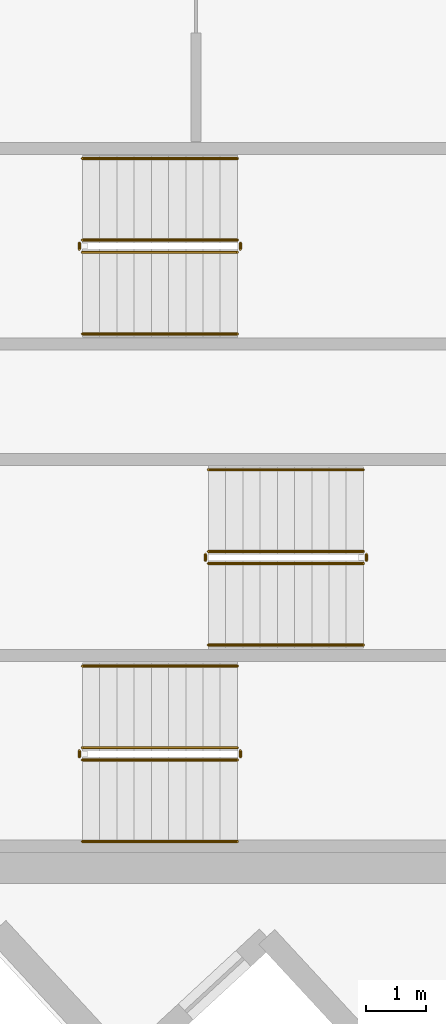
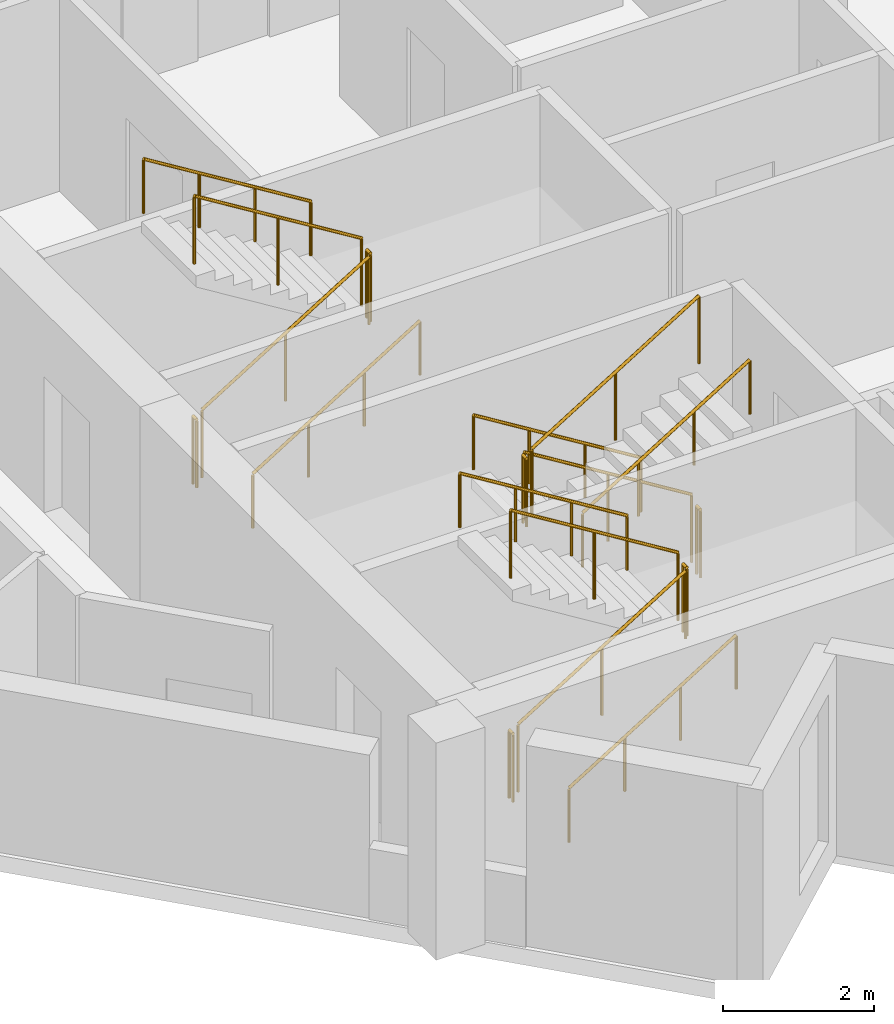
# One storey, part 10 of 11: 18 railings.
"""IFC4 building model written with IfcOpenShell, lengths in metres."""

import ifcopenshell
import ifcopenshell.guid

model = None  # the IFC model being written
_history = None  # IfcOwnerHistory: only IFC2X3 demands one
_inside = {}  # id of a spatial element -> (the spatial element, [elements in it])
_under = {}  # id of a project, library or spatial element -> (it, [spatial elements below it])
_declared = {}  # id of a project -> (the project, [libraries it declares])
_typed = {}  # id of a type object -> (the type object, [elements of that type])
_made_of = {}  # id of a material, layer set ... -> (it, [elements and type objects made of it])


def new_model(schema):
    """Start an empty IFC model of exactly this schema.

    Asked for "IFC4X3", IfcOpenShell would pick the latest addendum, in which some entities
    have other attributes; the version numbers below select the first issue.
    IFC2X3 requires an IfcOwnerHistory on every rooted entity: one is made here for all.
    """
    global model, _history
    if schema == "IFC4X3":
        model = ifcopenshell.file(schema_version=(4, 3, 0, 0))
    else:
        model = ifcopenshell.file(schema=schema)
    _inside.clear()
    _under.clear()
    _declared.clear()
    _typed.clear()
    _made_of.clear()
    _history = None
    if model.schema == "IFC2X3":
        org = make("IfcOrganization", Name="unknown")
        user = make(
            "IfcPersonAndOrganization",
            ThePerson=make("IfcPerson", FamilyName="unknown"),
            TheOrganization=org,
        )
        app = make(
            "IfcApplication",
            ApplicationDeveloper=org,
            Version="unknown",
            ApplicationFullName="unknown",
            ApplicationIdentifier="unknown",
        )
        _history = make(
            "IfcOwnerHistory",
            OwningUser=user,
            OwningApplication=app,
            ChangeAction="ADDED",
            CreationDate=0,
        )
    return model


def make(cls, **values):
    """One entity of the class cls with the attributes given. An attribute that is None is left unset."""
    return model.create_entity(
        cls, **{name: value for name, value in values.items() if value is not None}
    )


def rooted(cls, **values):
    """An entity with a GlobalId (a new one), such as an element, a storey or a relation."""
    return make(cls, GlobalId=ifcopenshell.guid.new(), OwnerHistory=_history, **values)


def si_unit(unit_type, name, prefix=None):
    """IfcSIUnit, for example si_unit("LENGTHUNIT", "METRE", prefix="MILLI")."""
    return make("IfcSIUnit", UnitType=unit_type, Prefix=prefix, Name=name)


def assignment(units):
    """IfcUnitAssignment: the units of a project."""
    return None if units is None else make("IfcUnitAssignment", Units=units)


def point(xyz):
    """IfcCartesianPoint."""
    return None if xyz is None else make("IfcCartesianPoint", Coordinates=xyz)


def direction(xyz):
    """IfcDirection."""
    return None if xyz is None else make("IfcDirection", DirectionRatios=xyz)


def frame(location, z_axis=None, x_axis=None):
    """IfcAxis2Placement3D, a coordinate frame: its origin and axes. An axis left out is left unset."""
    return make(
        "IfcAxis2Placement3D",
        Location=point(location),
        Axis=direction(z_axis),
        RefDirection=direction(x_axis),
    )


def frame_2d(location, x_axis=None):
    """IfcAxis2Placement2D, a coordinate frame in the plane: its origin and x axis."""
    return make(
        "IfcAxis2Placement2D", Location=point(location), RefDirection=direction(x_axis)
    )


def origin():
    """The frame at (0, 0, 0) with its axes left unset."""
    return frame((0.0, 0.0, 0.0))


def origin_2d():
    """The frame at (0, 0) in the plane with its x axis left unset."""
    return frame_2d((0.0, 0.0))


def place(relative_to, where):
    """IfcLocalPlacement: puts the frame where relative to a parent placement (None: the world)."""
    return make(
        "IfcLocalPlacement", PlacementRelTo=relative_to, RelativePlacement=where
    )


def context(
    kind, dimensions, precision=None, world=None, true_north=None, identifier=None
):
    """IfcGeometricRepresentationContext, for example the 3D "Model" context."""
    return make(
        "IfcGeometricRepresentationContext",
        ContextIdentifier=identifier,
        ContextType=kind,
        CoordinateSpaceDimension=dimensions,
        Precision=precision,
        WorldCoordinateSystem=world,
        TrueNorth=true_north,
    )


def subcontext(parent, identifier, kind, view, scale=None):
    """IfcGeometricRepresentationSubContext, for example "Body" below "Model"."""
    return make(
        "IfcGeometricRepresentationSubContext",
        ContextIdentifier=identifier,
        ContextType=kind,
        ParentContext=parent,
        TargetScale=scale,
        TargetView=view,
    )


def project(units=None, contexts=None):
    """IfcProject with its units and contexts."""
    return rooted(
        "IfcProject",
        Name="project",
        RepresentationContexts=contexts,
        UnitsInContext=assignment(units),
    )


def spatial(cls, under=None, at=None, **own):
    """A site, building, storey or space (cls), placed at a placement, below another one or the project."""
    s = rooted(cls, ObjectPlacement=at, **own)
    if under is not None:
        _under.setdefault(under.id(), (under, []))[1].append(s)
    return s


def profile(cls, at=None, kind="AREA", **sizes):
    """A parametric profile (cls). Its sizes go by their IFC names, for example OverallWidth=200.0."""
    return make(cls, ProfileType=kind, Position=at, **sizes)


def circle(**sizes):
    """IfcCircleProfileDef."""
    return profile("IfcCircleProfileDef", **sizes)


def extrude(swept, where, along, depth):
    """IfcExtrudedAreaSolid: the profile swept, set in the frame where, extruded along a direction by depth."""
    return make(
        "IfcExtrudedAreaSolid",
        SweptArea=swept,
        Position=where,
        ExtrudedDirection=direction(along),
        Depth=depth,
    )


def shape(context_of_items, identifier, shape_type, items):
    """IfcShapeRepresentation: the items that make up one representation, for example the "Body"."""
    return make(
        "IfcShapeRepresentation",
        ContextOfItems=context_of_items,
        RepresentationIdentifier=identifier,
        RepresentationType=shape_type,
        Items=items,
    )


def material(Name=None, Category=None):
    """IfcMaterial."""
    return make("IfcMaterial", Name=Name, Category=Category)


def made_of(thing, what):
    """Note that an element or type object is made of a material, layer set ...; save() writes the relation."""
    if what is not None:
        _made_of.setdefault(what.id(), (what, []))[1].append(thing)
    return thing


def type_object(cls, material=None, **own):
    """A type object (cls), such as IfcWallType, which elements share."""
    return made_of(rooted(cls, **own), material)


def element(
    cls,
    number,
    at=None,
    inside=None,
    cuts=None,
    type_object=None,
    material=None,
    context=None,
    identifier="Body",
    shape_type=None,
    held_by="IfcProductDefinitionShape",
    body=None,
    shapes=None,
    **own,
):
    """One element of the class cls, such as IfcWall. Its Tag is "e" and its number.

    at: its placement. inside: the storey or other place that contains it. cuts: it is an
    opening in that element (IfcRelVoidsElement). A single representation is given by context,
    identifier, shape_type and body (its items); several are given by shapes. held_by: the class
    of the entity that holds the representations. save() writes the other relations.
    """
    e = rooted(cls, Tag="e%d" % number, ObjectPlacement=at, **own)
    if body is not None:
        shapes = [shape(context, identifier, shape_type, body)]
    if shapes is not None:
        e.Representation = make(held_by, Representations=shapes)
    if inside is not None:
        _inside.setdefault(inside.id(), (inside, []))[1].append(e)
    if cuts is not None:
        rooted(
            "IfcRelVoidsElement", RelatingBuildingElement=cuts, RelatedOpeningElement=e
        )
    if type_object is not None:
        _typed.setdefault(type_object.id(), (type_object, []))[1].append(e)
    return made_of(e, material)


def aggregate(whole, parts):
    """IfcRelAggregates: a whole, such as a stair, and the parts it consists of."""
    return rooted("IfcRelAggregates", RelatingObject=whole, RelatedObjects=parts)


def save(model, path):
    """Write the relations noted so far, then the file.

    IfcRelAggregates (storeys below a building ...), IfcRelContainedInSpatialStructure (elements
    in a storey), IfcRelDefinesByType, IfcRelAssociatesMaterial and IfcRelDeclares: one each for
    every whole, place, type object, material and project.
    """
    for whole, parts in _under.values():
        aggregate(whole, parts)
    for where, things in _inside.values():
        rooted(
            "IfcRelContainedInSpatialStructure",
            RelatedElements=things,
            RelatingStructure=where,
        )
    for kind, things in _typed.values():
        rooted("IfcRelDefinesByType", RelatedObjects=things, RelatingType=kind)
    for what, things in _made_of.values():
        rooted("IfcRelAssociatesMaterial", RelatedObjects=things, RelatingMaterial=what)
    for by, libraries in _declared.values():
        rooted("IfcRelDeclares", RelatingContext=by, RelatedDefinitions=libraries)
    model.write(path)


model = new_model("IFC4")

# Units and contexts
model_context = context("Model", 3, precision=1e-05, world=origin(), true_north=direction((0.0, 1.0)))
body_context = subcontext(model_context, "Body", "Model", "MODEL_VIEW")
ifc_project = project(units=[si_unit("LENGTHUNIT", "METRE"), si_unit("AREAUNIT", "SQUARE_METRE"), si_unit("VOLUMEUNIT", "CUBIC_METRE"), si_unit("PLANEANGLEUNIT", "RADIAN"), si_unit("MASSUNIT", "GRAM", prefix="KILO")], contexts=[model_context])

# Site, building, storey
site_placement = place(None, origin())
site = spatial("IfcSite", under=ifc_project, at=site_placement, CompositionType="ELEMENT")
building_placement = place(site_placement, origin())
building = spatial("IfcBuilding", under=site, at=building_placement, Name="Narakoshi Arena Tower", CompositionType="ELEMENT")
storey_placement = place(building_placement, frame((0.0, 0.0, 285.3798828125)))
storey = spatial("IfcBuildingStorey", under=building, at=storey_placement, Name="L78", CompositionType="ELEMENT", Elevation=285.3798828125)

# Railings
ifc_material_1 = material(Name="Clear low-iron laminated structural glass", Category="glass")
railing_type_1 = type_object("IfcRailingType", Name="RL-BAL-1100", PredefinedType="BALUSTRADE", material=ifc_material_1)
railing_1_placement = place(storey_placement, frame((74.39990234375, 36.949951171875, 0.176025390625)))
element("IfcRailing", 1, at=railing_1_placement, inside=storey, type_object=railing_type_1, Name="L78 ST1 stair guard 1", PredefinedType="BALUSTRADE", context=body_context, shape_type="SweptSolid", body=[
    extrude(circle(Radius=0.02392578125, at=origin_2d()), frame((0.0, 0.0, 1.09619140625), z_axis=(0.850856559306, 0.0, 0.525398054323), x_axis=(0.0, 1.0, 0.0)), (0.0, 0.0, 1.0), 3.014892578125),
    extrude(circle(Radius=0.02099609375, at=origin_2d()), origin(), (0.0, 0.0, 1.0), 1.072021484375),
    extrude(circle(Radius=0.02099609375, at=origin_2d()), frame((1.28271484375, 0.0, 0.7919921875)), (0.0, 0.0, 1.0), 1.072021484375),
    extrude(circle(Radius=0.02099609375, at=origin_2d()), frame((2.565185546875, 0.0, 1.583984375)), (0.0, 0.0, 1.0), 1.072021484375),
])
railing_2_placement = place(storey_placement, frame((77.014892578125, 37.0, 1.760009765625)))
element("IfcRailing", 2, at=railing_2_placement, inside=storey, type_object=railing_type_1, Name="L78 ST1 stair guard 2", PredefinedType="BALUSTRADE", context=body_context, shape_type="SweptSolid", body=[
    extrude(circle(Radius=0.02392578125, at=origin_2d()), frame((0.0, 0.0, 1.09619140625), z_axis=(0.0, 1.0, 0.0), x_axis=(-1.0, 0.0, 0.0)), (0.0, 0.0, 1.0), 0.10009765625),
    extrude(circle(Radius=0.02099609375, at=origin_2d()), origin(), (0.0, 0.0, 1.0), 1.072021484375),
    extrude(circle(Radius=0.02099609375, at=origin_2d()), frame((0.0, 0.10009765625, 0.0)), (0.0, 0.0, 1.0), 1.072021484375),
])
railing_3_placement = place(storey_placement, frame((76.965087890625, 37.14990234375, 1.93603515625)))
element("IfcRailing", 3, at=railing_3_placement, inside=storey, type_object=railing_type_1, Name="L78 ST1 stair guard 3", PredefinedType="BALUSTRADE", context=body_context, shape_type="SweptSolid", body=[
    extrude(circle(Radius=0.02392578125, at=origin_2d()), frame((0.0, 0.0, 1.09619140625), z_axis=(-0.850856559306, 0.0, 0.525398054323), x_axis=(0.0, -1.0, 0.0)), (0.0, 0.0, 1.0), 3.014892578125),
    extrude(circle(Radius=0.02099609375, at=origin_2d()), origin(), (0.0, 0.0, 1.0), 1.072021484375),
    extrude(circle(Radius=0.02099609375, at=origin_2d()), frame((-1.28271484375, 0.0, 0.7919921875)), (0.0, 0.0, 1.0), 1.072021484375),
    extrude(circle(Radius=0.02099609375, at=origin_2d()), frame((-2.565185546875, 0.0, 1.583984375)), (0.0, 0.0, 1.0), 1.072021484375),
])
railing_4_placement = place(storey_placement, frame((74.35009765625, 37.0, 0.0)))
element("IfcRailing", 4, at=railing_4_placement, inside=storey, type_object=railing_type_1, Name="L78 ST1 stair guard 4", PredefinedType="BALUSTRADE", context=body_context, shape_type="SweptSolid", body=[
    extrude(circle(Radius=0.02392578125, at=origin_2d()), frame((0.0, 0.0, 1.09619140625), z_axis=(0.0, 1.0, 0.0), x_axis=(-1.0, 0.0, 0.0)), (0.0, 0.0, 1.0), 0.10009765625),
    extrude(circle(Radius=0.02099609375, at=origin_2d()), origin(), (0.0, 0.0, 1.0), 1.072021484375),
    extrude(circle(Radius=0.02099609375, at=origin_2d()), frame((0.0, 0.10009765625, 0.0)), (0.0, 0.0, 1.0), 1.072021484375),
])
railing_5_placement = place(storey_placement, frame((79.050048828125, 40.39990234375, 0.176025390625)))
element("IfcRailing", 5, at=railing_5_placement, inside=storey, type_object=railing_type_1, Name="L78 ST2 stair guard 1", PredefinedType="BALUSTRADE", context=body_context, shape_type="SweptSolid", body=[
    extrude(circle(Radius=0.02392578125, at=origin_2d()), frame((0.0, 0.0, 1.09619140625), z_axis=(-0.850834203031, 0.0, 0.525434257497), x_axis=(0.0, -1.0, 0.0)), (0.0, 0.0, 1.0), 3.0146484375),
    extrude(circle(Radius=0.02099609375, at=origin_2d()), origin(), (0.0, 0.0, 1.0), 1.072021484375),
    extrude(circle(Radius=0.02099609375, at=origin_2d()), frame((-1.282470703125, 0.0, 0.7919921875)), (0.0, 0.0, 1.0), 1.072021484375),
    extrude(circle(Radius=0.02099609375, at=origin_2d()), frame((-2.56494140625, 0.0, 1.583984375)), (0.0, 0.0, 1.0), 1.072021484375),
])
railing_6_placement = place(storey_placement, frame((76.43505859375, 40.35009765625, 1.760009765625)))
element("IfcRailing", 6, at=railing_6_placement, inside=storey, type_object=railing_type_1, Name="L78 ST2 stair guard 2", PredefinedType="BALUSTRADE", context=body_context, shape_type="SweptSolid", body=[
    extrude(circle(Radius=0.02392578125, at=origin_2d()), frame((0.0, 0.0, 1.09619140625), z_axis=(0.0, -1.0, 0.0), x_axis=(1.0, 0.0, 0.0)), (0.0, 0.0, 1.0), 0.10009765625),
    extrude(circle(Radius=0.02099609375, at=origin_2d()), origin(), (0.0, 0.0, 1.0), 1.072021484375),
    extrude(circle(Radius=0.02099609375, at=origin_2d()), frame((0.0, -0.10009765625, 0.0)), (0.0, 0.0, 1.0), 1.072021484375),
])
railing_7_placement = place(storey_placement, frame((76.485107421875, 40.199951171875, 1.93603515625)))
element("IfcRailing", 7, at=railing_7_placement, inside=storey, type_object=railing_type_1, Name="L78 ST2 stair guard 3", PredefinedType="BALUSTRADE", context=body_context, shape_type="SweptSolid", body=[
    extrude(circle(Radius=0.02392578125, at=origin_2d()), frame((0.0, 0.0, 1.09619140625), z_axis=(0.850834203031, 0.0, 0.525434257497), x_axis=(0.0, 1.0, 0.0)), (0.0, 0.0, 1.0), 3.0146484375),
    extrude(circle(Radius=0.02099609375, at=origin_2d()), origin(), (0.0, 0.0, 1.0), 1.072021484375),
    extrude(circle(Radius=0.02099609375, at=origin_2d()), frame((1.282470703125, 0.0, 0.7919921875)), (0.0, 0.0, 1.0), 1.072021484375),
    extrude(circle(Radius=0.02099609375, at=origin_2d()), frame((2.56494140625, 0.0, 1.583984375)), (0.0, 0.0, 1.0), 1.072021484375),
])
railing_8_placement = place(storey_placement, frame((79.10009765625, 40.35009765625, 0.0)))
element("IfcRailing", 8, at=railing_8_placement, inside=storey, type_object=railing_type_1, Name="L78 ST2 stair guard 4", PredefinedType="BALUSTRADE", context=body_context, shape_type="SweptSolid", body=[
    extrude(circle(Radius=0.02392578125, at=origin_2d()), frame((0.0, 0.0, 1.09619140625), z_axis=(0.0, -1.0, 0.0), x_axis=(1.0, 0.0, 0.0)), (0.0, 0.0, 1.0), 0.10009765625),
    extrude(circle(Radius=0.02099609375, at=origin_2d()), origin(), (0.0, 0.0, 1.0), 1.072021484375),
    extrude(circle(Radius=0.02099609375, at=origin_2d()), frame((0.0, -0.10009765625, 0.0)), (0.0, 0.0, 1.0), 1.072021484375),
])
railing_9_placement = place(storey_placement, frame((74.39990234375, 45.35009765625, 0.176025390625)))
element("IfcRailing", 9, at=railing_9_placement, inside=storey, type_object=railing_type_1, Name="L78 ST3 stair guard 1", PredefinedType="BALUSTRADE", context=body_context, shape_type="SweptSolid", body=[
    extrude(circle(Radius=0.02392578125, at=origin_2d()), frame((0.0, 0.0, 1.09619140625), z_axis=(0.850856559306, 0.0, 0.525398054323), x_axis=(0.0, 1.0, 0.0)), (0.0, 0.0, 1.0), 3.014892578125),
    extrude(circle(Radius=0.02099609375, at=origin_2d()), origin(), (0.0, 0.0, 1.0), 1.072021484375),
    extrude(circle(Radius=0.02099609375, at=origin_2d()), frame((1.28271484375, 0.0, 0.7919921875)), (0.0, 0.0, 1.0), 1.072021484375),
    extrude(circle(Radius=0.02099609375, at=origin_2d()), frame((2.565185546875, 0.0, 1.583984375)), (0.0, 0.0, 1.0), 1.072021484375),
])
railing_10_placement = place(storey_placement, frame((77.014892578125, 45.39990234375, 1.760009765625)))
element("IfcRailing", 10, at=railing_10_placement, inside=storey, type_object=railing_type_1, Name="L78 ST3 stair guard 2", PredefinedType="BALUSTRADE", context=body_context, shape_type="SweptSolid", body=[
    extrude(circle(Radius=0.02392578125, at=origin_2d()), frame((0.0, 0.0, 1.09619140625), z_axis=(0.0, 1.0, 0.0), x_axis=(-1.0, 0.0, 0.0)), (0.0, 0.0, 1.0), 0.10009765625),
    extrude(circle(Radius=0.02099609375, at=origin_2d()), origin(), (0.0, 0.0, 1.0), 1.072021484375),
    extrude(circle(Radius=0.02099609375, at=origin_2d()), frame((0.0, 0.10009765625, 0.0)), (0.0, 0.0, 1.0), 1.072021484375),
])
railing_11_placement = place(storey_placement, frame((76.965087890625, 45.550048828125, 1.93603515625)))
element("IfcRailing", 11, at=railing_11_placement, inside=storey, type_object=railing_type_1, Name="L78 ST3 stair guard 3", PredefinedType="BALUSTRADE", context=body_context, shape_type="SweptSolid", body=[
    extrude(circle(Radius=0.02392578125, at=origin_2d()), frame((0.0, 0.0, 1.09619140625), z_axis=(-0.850856559306, 0.0, 0.525398054323), x_axis=(0.0, -1.0, 0.0)), (0.0, 0.0, 1.0), 3.014892578125),
    extrude(circle(Radius=0.02099609375, at=origin_2d()), origin(), (0.0, 0.0, 1.0), 1.072021484375),
    extrude(circle(Radius=0.02099609375, at=origin_2d()), frame((-1.28271484375, 0.0, 0.7919921875)), (0.0, 0.0, 1.0), 1.072021484375),
    extrude(circle(Radius=0.02099609375, at=origin_2d()), frame((-2.565185546875, 0.0, 1.583984375)), (0.0, 0.0, 1.0), 1.072021484375),
])
railing_12_placement = place(storey_placement, frame((74.35009765625, 45.39990234375, 0.0)))
element("IfcRailing", 12, at=railing_12_placement, inside=storey, type_object=railing_type_1, Name="L78 ST3 stair guard 4", PredefinedType="BALUSTRADE", context=body_context, shape_type="SweptSolid", body=[
    extrude(circle(Radius=0.02392578125, at=origin_2d()), frame((0.0, 0.0, 1.09619140625), z_axis=(0.0, 1.0, 0.0), x_axis=(-1.0, 0.0, 0.0)), (0.0, 0.0, 1.0), 0.10009765625),
    extrude(circle(Radius=0.02099609375, at=origin_2d()), origin(), (0.0, 0.0, 1.0), 1.072021484375),
    extrude(circle(Radius=0.02099609375, at=origin_2d()), frame((0.0, 0.10009765625, 0.0)), (0.0, 0.0, 1.0), 1.072021484375),
])
ifc_material_2 = material(Name="Brushed bronze stainless steel", Category="steel")
railing_type_2 = type_object("IfcRailingType", Name="RL-HND-900", PredefinedType="HANDRAIL", material=ifc_material_2)
railing_13_placement = place(storey_placement, frame((74.39990234375, 35.60009765625, 0.176025390625)))
element("IfcRailing", 13, at=railing_13_placement, inside=storey, type_object=railing_type_2, Name="L78 ST1 stair handrail 1", PredefinedType="HANDRAIL", context=body_context, shape_type="SweptSolid", body=[
    extrude(circle(Radius=0.02392578125, at=origin_2d()), frame((0.0, 0.0, 0.8759765625), z_axis=(0.850856559306, 0.0, 0.525398054323), x_axis=(0.0, 1.0, 0.0)), (0.0, 0.0, 1.0), 3.014892578125),
    extrude(circle(Radius=0.02099609375, at=origin_2d()), origin(), (0.0, 0.0, 1.0), 0.851806640625),
    extrude(circle(Radius=0.02099609375, at=origin_2d()), frame((0.85498046875, 0.0, 0.528076171875)), (0.0, 0.0, 1.0), 0.851806640625),
    extrude(circle(Radius=0.02099609375, at=origin_2d()), frame((1.710205078125, 0.0, 1.055908203125)), (0.0, 0.0, 1.0), 0.851806640625),
    extrude(circle(Radius=0.02099609375, at=origin_2d()), frame((2.565185546875, 0.0, 1.583984375)), (0.0, 0.0, 1.0), 0.851806640625),
])
railing_14_placement = place(storey_placement, frame((76.965087890625, 38.5, 1.93603515625)))
element("IfcRailing", 14, at=railing_14_placement, inside=storey, type_object=railing_type_2, Name="L78 ST1 stair handrail 2", PredefinedType="HANDRAIL", context=body_context, shape_type="SweptSolid", body=[
    extrude(circle(Radius=0.02392578125, at=origin_2d()), frame((0.0, 0.0, 0.8759765625), z_axis=(-0.850856559306, 0.0, 0.525398054323), x_axis=(0.0, -1.0, 0.0)), (0.0, 0.0, 1.0), 3.014892578125),
    extrude(circle(Radius=0.02099609375, at=origin_2d()), origin(), (0.0, 0.0, 1.0), 0.851806640625),
    extrude(circle(Radius=0.02099609375, at=origin_2d()), frame((-0.85498046875, 0.0, 0.528076171875)), (0.0, 0.0, 1.0), 0.851806640625),
    extrude(circle(Radius=0.02099609375, at=origin_2d()), frame((-1.710205078125, 0.0, 1.055908203125)), (0.0, 0.0, 1.0), 0.851806640625),
    extrude(circle(Radius=0.02099609375, at=origin_2d()), frame((-2.565185546875, 0.0, 1.583984375)), (0.0, 0.0, 1.0), 0.851806640625),
])
railing_15_placement = place(storey_placement, frame((79.050048828125, 41.75, 0.176025390625)))
element("IfcRailing", 15, at=railing_15_placement, inside=storey, type_object=railing_type_2, Name="L78 ST2 stair handrail 1", PredefinedType="HANDRAIL", context=body_context, shape_type="SweptSolid", body=[
    extrude(circle(Radius=0.02392578125, at=origin_2d()), frame((0.0, 0.0, 0.8759765625), z_axis=(-0.850834203031, 0.0, 0.525434257497), x_axis=(0.0, -1.0, 0.0)), (0.0, 0.0, 1.0), 3.0146484375),
    extrude(circle(Radius=0.02099609375, at=origin_2d()), origin(), (0.0, 0.0, 1.0), 0.851806640625),
    extrude(circle(Radius=0.02099609375, at=origin_2d()), frame((-0.85498046875, 0.0, 0.528076171875)), (0.0, 0.0, 1.0), 0.851806640625),
    extrude(circle(Radius=0.02099609375, at=origin_2d()), frame((-1.7099609375, 0.0, 1.055908203125)), (0.0, 0.0, 1.0), 0.851806640625),
    extrude(circle(Radius=0.02099609375, at=origin_2d()), frame((-2.56494140625, 0.0, 1.583984375)), (0.0, 0.0, 1.0), 0.851806640625),
])
railing_16_placement = place(storey_placement, frame((76.485107421875, 38.85009765625, 1.93603515625)))
element("IfcRailing", 16, at=railing_16_placement, inside=storey, type_object=railing_type_2, Name="L78 ST2 stair handrail 2", PredefinedType="HANDRAIL", context=body_context, shape_type="SweptSolid", body=[
    extrude(circle(Radius=0.02392578125, at=origin_2d()), frame((0.0, 0.0, 0.8759765625), z_axis=(0.850834203031, 0.0, 0.525434257497), x_axis=(0.0, 1.0, 0.0)), (0.0, 0.0, 1.0), 3.0146484375),
    extrude(circle(Radius=0.02099609375, at=origin_2d()), origin(), (0.0, 0.0, 1.0), 0.851806640625),
    extrude(circle(Radius=0.02099609375, at=origin_2d()), frame((0.85498046875, 0.0, 0.528076171875)), (0.0, 0.0, 1.0), 0.851806640625),
    extrude(circle(Radius=0.02099609375, at=origin_2d()), frame((1.7099609375, 0.0, 1.055908203125)), (0.0, 0.0, 1.0), 0.851806640625),
    extrude(circle(Radius=0.02099609375, at=origin_2d()), frame((2.56494140625, 0.0, 1.583984375)), (0.0, 0.0, 1.0), 0.851806640625),
])
railing_17_placement = place(storey_placement, frame((74.39990234375, 44.0, 0.176025390625)))
element("IfcRailing", 17, at=railing_17_placement, inside=storey, type_object=railing_type_2, Name="L78 ST3 stair handrail 1", PredefinedType="HANDRAIL", context=body_context, shape_type="SweptSolid", body=[
    extrude(circle(Radius=0.02392578125, at=origin_2d()), frame((0.0, 0.0, 0.8759765625), z_axis=(0.850856559306, 0.0, 0.525398054323), x_axis=(0.0, 1.0, 0.0)), (0.0, 0.0, 1.0), 3.014892578125),
    extrude(circle(Radius=0.02099609375, at=origin_2d()), origin(), (0.0, 0.0, 1.0), 0.851806640625),
    extrude(circle(Radius=0.02099609375, at=origin_2d()), frame((0.85498046875, 0.0, 0.528076171875)), (0.0, 0.0, 1.0), 0.851806640625),
    extrude(circle(Radius=0.02099609375, at=origin_2d()), frame((1.710205078125, 0.0, 1.055908203125)), (0.0, 0.0, 1.0), 0.851806640625),
    extrude(circle(Radius=0.02099609375, at=origin_2d()), frame((2.565185546875, 0.0, 1.583984375)), (0.0, 0.0, 1.0), 0.851806640625),
])
railing_18_placement = place(storey_placement, frame((76.965087890625, 46.89990234375, 1.93603515625)))
element("IfcRailing", 18, at=railing_18_placement, inside=storey, type_object=railing_type_2, Name="L78 ST3 stair handrail 2", PredefinedType="HANDRAIL", context=body_context, shape_type="SweptSolid", body=[
    extrude(circle(Radius=0.02392578125, at=origin_2d()), frame((0.0, 0.0, 0.8759765625), z_axis=(-0.850856559306, 0.0, 0.525398054323), x_axis=(0.0, -1.0, 0.0)), (0.0, 0.0, 1.0), 3.014892578125),
    extrude(circle(Radius=0.02099609375, at=origin_2d()), origin(), (0.0, 0.0, 1.0), 0.851806640625),
    extrude(circle(Radius=0.02099609375, at=origin_2d()), frame((-0.85498046875, 0.0, 0.528076171875)), (0.0, 0.0, 1.0), 0.851806640625),
    extrude(circle(Radius=0.02099609375, at=origin_2d()), frame((-1.710205078125, 0.0, 1.055908203125)), (0.0, 0.0, 1.0), 0.851806640625),
    extrude(circle(Radius=0.02099609375, at=origin_2d()), frame((-2.565185546875, 0.0, 1.583984375)), (0.0, 0.0, 1.0), 0.851806640625),
])

save(model, "model.ifc")
